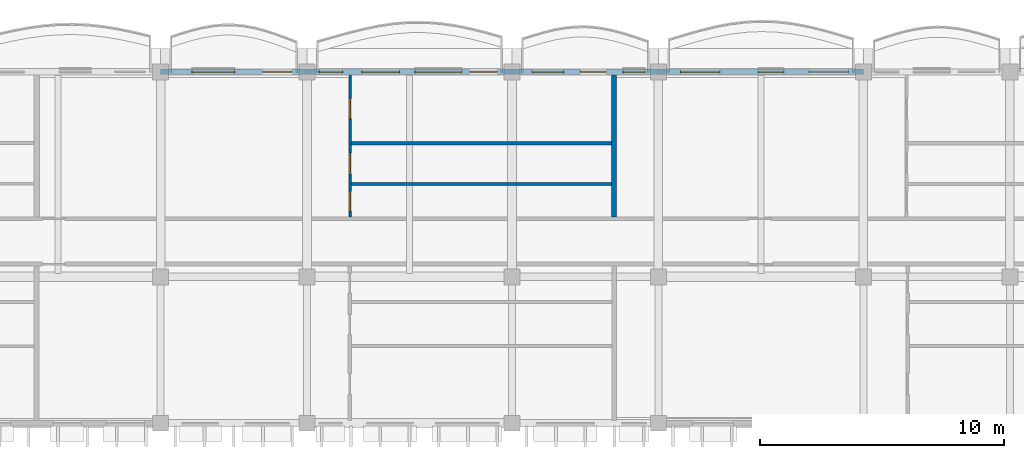
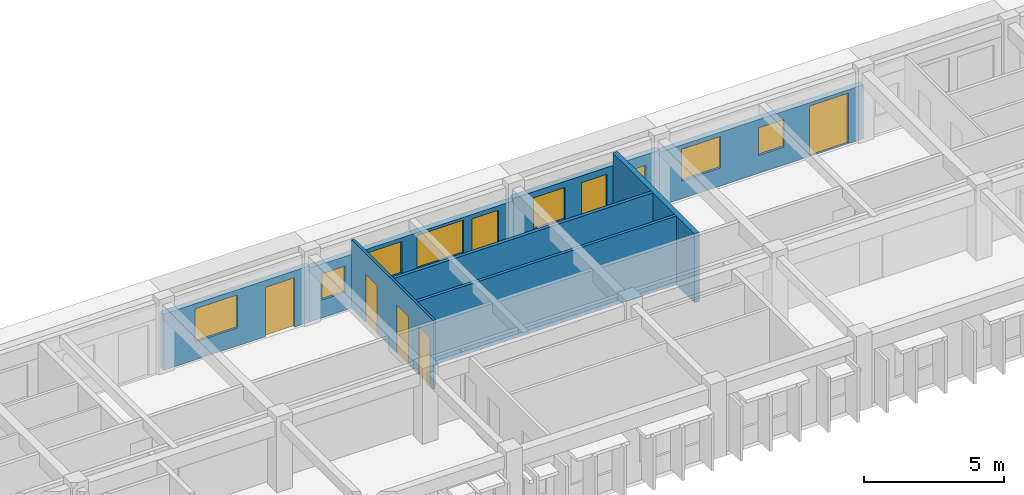
# One storey, part 57 of 101: 8 walls, 8 windows, 7 doors, 15 openings.
"""IFC4 building model written with IfcOpenShell, lengths in metres."""

from ifc_helpers import new_model, si_unit, direction, frame, frame_2d, origin, place, context, subcontext, project, spatial, rectangle, extrude, material, layer, layer_set, type_object, element, fill, save


model = new_model("IFC4")

# Units and contexts
model_context = context("Model", 3, precision=1e-05, world=origin(), true_north=direction((0.0, 1.0)))
body_context = subcontext(model_context, "Body", "Model", "MODEL_VIEW")
ifc_project = project(units=[si_unit("LENGTHUNIT", "METRE"), si_unit("AREAUNIT", "SQUARE_METRE"), si_unit("VOLUMEUNIT", "CUBIC_METRE"), si_unit("PLANEANGLEUNIT", "RADIAN"), si_unit("MASSUNIT", "GRAM", prefix="KILO"), si_unit("THERMODYNAMICTEMPERATUREUNIT", "KELVIN")], contexts=[model_context])

# Site, building, storey
site_placement = place(None, origin())
site = spatial("IfcSite", under=ifc_project, at=site_placement, CompositionType="ELEMENT")
building_placement = place(site_placement, origin())
building = spatial("IfcBuilding", under=site, at=building_placement, Name="Thalorik Housing Commons", CompositionType="ELEMENT")
storey_placement = place(building_placement, frame((0.0, 0.0, 8.10009765625)))
storey = spatial("IfcBuildingStorey", under=building, at=storey_placement, Name="L02", CompositionType="ELEMENT", Elevation=8.10009765625)

# Wall, openings, door, windows
ifc_material_1 = material(Name="White precast concrete C40/50", Category="concrete")
ifc_layer_1 = layer(ifc_material_1, 0.235107421875, Name="White precast concrete C40/50", Category="concrete")
ifc_layer_set_1 = layer_set([ifc_layer_1], Name="White precast concrete C40/50")
wall_type_1 = type_object("IfcWallType", Name="ARC-WAL-EXT-235", PredefinedType="STANDARD", material=ifc_layer_set_1)
wall_1_placement = place(storey_placement, frame((138.0, 123.60009765625, 0.0), z_axis=(0.0, 0.0, 1.0), x_axis=(-1.0, 0.0, 0.0)))
wall_1 = element("IfcWall", 1, at=wall_1_placement, inside=storey, type_object=wall_type_1, Name="L02 Exterior Wall WAL-EXT-L02-B-0452", PredefinedType="STANDARD", context=body_context, shape_type="SweptSolid", body=[
    extrude(rectangle(XDim=8.39990234375, YDim=0.235107421875, at=frame_2d((4.199951171875, 0.0))), origin(), (0.0, 0.0, 1.0), 2.344970703125),
])
opening_1_placement = place(wall_1_placement, frame((0.6201171875, 0.0, 0.0)))
opening_1 = element("IfcOpeningElement", 2, at=opening_1_placement, cuts=wall_1, Name="Opening ED-0128", PredefinedType="OPENING", context=body_context, shape_type="SweptSolid", body=[
    extrude(rectangle(XDim=1.60009765625, YDim=2.199951171875, at=frame_2d((0.800048828125, 1.10009765625))), frame((0.0, 0.12744140625, 0.0), z_axis=(0.0, -1.0, 0.0), x_axis=(1.0, 0.0, 0.0)), (0.0, 0.0, 1.0), 0.255126953125),
])
opening_2_placement = place(wall_1_placement, frame((3.264892578125, 0.0, 0.780029296875)))
opening_2 = element("IfcOpeningElement", 3, at=opening_2_placement, cuts=wall_1, Name="Opening W-44", PredefinedType="OPENING", context=body_context, shape_type="SweptSolid", body=[
    extrude(rectangle(XDim=1.050048828125, YDim=1.199951171875, at=frame_2d((0.52490234375, 0.60009765625))), frame((0.0, 0.12744140625, 0.0), z_axis=(0.0, -1.0, 0.0), x_axis=(1.0, 0.0, 0.0)), (0.0, 0.0, 1.0), 0.255126953125),
])
opening_3_placement = place(wall_1_placement, frame((5.8798828125, 0.0, 0.780029296875)))
opening_3 = element("IfcOpeningElement", 4, at=opening_3_placement, cuts=wall_1, Name="Opening W-54", PredefinedType="OPENING", context=body_context, shape_type="SweptSolid", body=[
    extrude(rectangle(XDim=1.6201171875, YDim=1.3798828125, at=frame_2d((0.81005859375, 0.68994140625))), frame((0.0, 0.12744140625, 0.0), z_axis=(0.0, -1.0, 0.0), x_axis=(1.0, 0.0, 0.0)), (0.0, 0.0, 1.0), 0.255126953125),
])
ifc_material_2 = material(Name="Anodised aluminium and laminated safety glass", Category="aluminium")
door_type_1 = type_object("IfcDoorType", Name="ARC-DR-BAL-1600", OperationType="NOTDEFINED", PredefinedType="DOOR", material=ifc_material_2)
door_1_placement = place(opening_1_placement, frame((1.60009765625, 0.0, 0.0), z_axis=(0.0, 0.0, 1.0), x_axis=(-1.0, 0.0, 0.0)))
door_1 = element("IfcDoor", 5, at=door_1_placement, inside=storey, type_object=door_type_1, Name="L02 Block B Balcony Glazed Door", OperationType="SLIDING_TO_LEFT", OverallHeight=2.199951171875, OverallWidth=1.60009765625, PredefinedType="DOOR", context=body_context, shape_type="SweptSolid", body=[
    extrude(rectangle(XDim=1.60009765625, YDim=2.199951171875, at=frame_2d((0.800048828125, 1.10009765625))), frame((0.0, 0.02490234375, 0.0), z_axis=(0.0, -1.0, 0.0), x_axis=(1.0, 0.0, 0.0)), (0.0, 0.0, 1.0), 0.050048828125),
])
fill(opening_1, door_1)
ifc_material_3 = material(Name="Anodised aluminium and solar-control low-E glass", Category="aluminium")
window_type_1 = type_object("IfcWindowType", Name="ARC-WIN-44", PartitioningType="SINGLE_PANEL", PredefinedType="WINDOW", material=ifc_material_3)
window_1_placement = place(opening_2_placement, origin())
window_1 = element("IfcWindow", 6, at=window_1_placement, inside=storey, type_object=window_type_1, Name="L02 Facade Window 802", OverallHeight=1.199951171875, OverallWidth=1.050048828125, PartitioningType="SINGLE_PANEL", PredefinedType="WINDOW", context=body_context, shape_type="SweptSolid", body=[
    extrude(rectangle(XDim=1.050048828125, YDim=1.199951171875, at=frame_2d((0.52490234375, 0.60009765625))), frame((0.0, 0.030029296875, 0.0), z_axis=(0.0, -1.0, 0.0), x_axis=(1.0, 0.0, 0.0)), (0.0, 0.0, 1.0), 0.06005859375),
])
fill(opening_2, window_1)
window_type_2 = type_object("IfcWindowType", Name="ARC-WIN-54", PartitioningType="DOUBLE_PANEL_VERTICAL", PredefinedType="WINDOW", material=ifc_material_3)
window_2_placement = place(opening_3_placement, origin())
window_2 = element("IfcWindow", 7, at=window_2_placement, inside=storey, type_object=window_type_2, Name="L02 Facade Window 803", OverallHeight=1.3798828125, OverallWidth=1.6201171875, PartitioningType="DOUBLE_PANEL_VERTICAL", PredefinedType="WINDOW", context=body_context, shape_type="SweptSolid", body=[
    extrude(rectangle(XDim=1.6201171875, YDim=1.3798828125, at=frame_2d((0.81005859375, 0.68994140625))), frame((0.0, 0.030029296875, 0.0), z_axis=(0.0, -1.0, 0.0), x_axis=(1.0, 0.0, 0.0)), (0.0, 0.0, 1.0), 0.06005859375),
])
fill(opening_3, window_2)

wall_2_placement = place(storey_placement, frame((129.60009765625, 123.60009765625, 0.0), z_axis=(0.0, 0.0, 1.0), x_axis=(-1.0, 0.0, 0.0)))
wall_2 = element("IfcWall", 8, at=wall_2_placement, inside=storey, type_object=wall_type_1, Name="L02 Exterior Wall WAL-EXT-L02-B-0453", PredefinedType="STANDARD", context=body_context, shape_type="SweptSolid", body=[
    extrude(rectangle(XDim=6.0, YDim=0.235107421875, at=frame_2d((3.0, 0.0))), origin(), (0.0, 0.0, 1.0), 2.44482421875),
])
opening_4_placement = place(wall_2_placement, frame((2.14990234375, 0.0, 0.0)))
opening_4 = element("IfcOpeningElement", 9, at=opening_4_placement, cuts=wall_2, Name="Opening ED-0129", PredefinedType="OPENING", context=body_context, shape_type="SweptSolid", body=[
    extrude(rectangle(XDim=1.050048828125, YDim=2.14990234375, at=frame_2d((0.52490234375, 1.074951171875))), frame((0.0, 0.12744140625, 0.0), z_axis=(0.0, -1.0, 0.0), x_axis=(1.0, 0.0, 0.0)), (0.0, 0.0, 1.0), 0.255126953125),
])
opening_5_placement = place(wall_2_placement, frame((0.554931640625, 0.0, 0.780029296875)))
opening_5 = element("IfcOpeningElement", 10, at=opening_5_placement, cuts=wall_2, Name="Opening W-01", PredefinedType="OPENING", context=body_context, shape_type="SweptSolid", body=[
    extrude(rectangle(XDim=0.89990234375, YDim=1.199951171875, at=frame_2d((0.449951171875, 0.60009765625))), frame((0.0, 0.12744140625, 0.0), z_axis=(0.0, -1.0, 0.0), x_axis=(1.0, 0.0, 0.0)), (0.0, 0.0, 1.0), 0.255126953125),
])
opening_6_placement = place(wall_2_placement, frame((3.8798828125, 0.0, 0.780029296875)))
opening_6 = element("IfcOpeningElement", 11, at=opening_6_placement, cuts=wall_2, Name="Opening W-06", PredefinedType="OPENING", context=body_context, shape_type="SweptSolid", body=[
    extrude(rectangle(XDim=1.300048828125, YDim=1.39990234375, at=frame_2d((0.64990234375, 0.699951171875))), frame((0.0, 0.12744140625, 0.0), z_axis=(0.0, -1.0, 0.0), x_axis=(1.0, 0.0, 0.0)), (0.0, 0.0, 1.0), 0.255126953125),
])
door_type_2 = type_object("IfcDoorType", Name="ARC-DR-BAL-1050", OperationType="NOTDEFINED", PredefinedType="DOOR", material=ifc_material_2)
door_2_placement = place(opening_4_placement, frame((1.050048828125, 0.0, 0.0), z_axis=(0.0, 0.0, 1.0), x_axis=(-1.0, 0.0, 0.0)))
door_2 = element("IfcDoor", 12, at=door_2_placement, inside=storey, type_object=door_type_2, Name="L02 Block B Balcony Glazed Door", OperationType="SINGLE_SWING_RIGHT", OverallHeight=2.14990234375, OverallWidth=1.050048828125, PredefinedType="DOOR", context=body_context, shape_type="SweptSolid", body=[
    extrude(rectangle(XDim=1.050048828125, YDim=2.14990234375, at=frame_2d((0.52490234375, 1.074951171875))), frame((0.0, 0.02490234375, 0.0), z_axis=(0.0, -1.0, 0.0), x_axis=(1.0, 0.0, 0.0)), (0.0, 0.0, 1.0), 0.050048828125),
])
fill(opening_4, door_2)
window_type_3 = type_object("IfcWindowType", Name="ARC-WIN-01", PartitioningType="SINGLE_PANEL", PredefinedType="WINDOW", material=ifc_material_3)
window_3_placement = place(opening_5_placement, origin())
window_3 = element("IfcWindow", 13, at=window_3_placement, inside=storey, type_object=window_type_3, Name="L02 Facade Window 804", OverallHeight=1.199951171875, OverallWidth=0.89990234375, PartitioningType="SINGLE_PANEL", PredefinedType="WINDOW", context=body_context, shape_type="SweptSolid", body=[
    extrude(rectangle(XDim=0.89990234375, YDim=1.199951171875, at=frame_2d((0.449951171875, 0.60009765625))), frame((0.0, 0.030029296875, 0.0), z_axis=(0.0, -1.0, 0.0), x_axis=(1.0, 0.0, 0.0)), (0.0, 0.0, 1.0), 0.06005859375),
])
fill(opening_5, window_3)
window_type_4 = type_object("IfcWindowType", Name="ARC-WIN-06", PartitioningType="SINGLE_PANEL", PredefinedType="WINDOW", material=ifc_material_3)
window_4_placement = place(opening_6_placement, origin())
window_4 = element("IfcWindow", 14, at=window_4_placement, inside=storey, type_object=window_type_4, Name="L02 Facade Window 805", OverallHeight=1.39990234375, OverallWidth=1.300048828125, PartitioningType="SINGLE_PANEL", PredefinedType="WINDOW", context=body_context, shape_type="SweptSolid", body=[
    extrude(rectangle(XDim=1.300048828125, YDim=1.39990234375, at=frame_2d((0.64990234375, 0.699951171875))), frame((0.0, 0.030029296875, 0.0), z_axis=(0.0, -1.0, 0.0), x_axis=(1.0, 0.0, 0.0)), (0.0, 0.0, 1.0), 0.06005859375),
])
fill(opening_6, window_4)

wall_3_placement = place(storey_placement, frame((123.60009765625, 123.60009765625, 0.0), z_axis=(0.0, 0.0, 1.0), x_axis=(-1.0, 0.0, 0.0)))
wall_3 = element("IfcWall", 15, at=wall_3_placement, inside=storey, type_object=wall_type_1, Name="L02 Exterior Wall WAL-EXT-L02-B-0454", PredefinedType="STANDARD", context=body_context, shape_type="SweptSolid", body=[
    extrude(rectangle(XDim=8.400146484375, YDim=0.235107421875, at=frame_2d((4.2001953125, 0.0))), origin(), (0.0, 0.0, 1.0), 2.344970703125),
])
opening_7_placement = place(wall_3_placement, frame((0.6201171875, 0.0, 0.0)))
opening_7 = element("IfcOpeningElement", 16, at=opening_7_placement, cuts=wall_3, Name="Opening ED-0130", PredefinedType="OPENING", context=body_context, shape_type="SweptSolid", body=[
    extrude(rectangle(XDim=1.10009765625, YDim=2.14990234375, at=frame_2d((0.550048828125, 1.074951171875))), frame((0.0, 0.12744140625, 0.0), z_axis=(0.0, -1.0, 0.0), x_axis=(1.0, 0.0, 0.0)), (0.0, 0.0, 1.0), 0.255126953125),
])
opening_8_placement = place(wall_3_placement, frame((2.058349609375, 0.0, 0.780029296875)))
opening_8 = element("IfcOpeningElement", 17, at=opening_8_placement, cuts=wall_3, Name="Opening W-60", PredefinedType="OPENING", context=body_context, shape_type="SweptSolid", body=[
    extrude(rectangle(XDim=1.919921875, YDim=1.43994140625, at=frame_2d((0.9599609375, 0.719970703125))), frame((0.0, 0.12744140625, 0.0), z_axis=(0.0, -1.0, 0.0), x_axis=(1.0, 0.0, 0.0)), (0.0, 0.0, 1.0), 0.255126953125),
])
opening_9_placement = place(wall_3_placement, frame((4.599853515625, 0.0, 0.780029296875)))
opening_9 = element("IfcOpeningElement", 18, at=opening_9_placement, cuts=wall_3, Name="Opening W-12", PredefinedType="OPENING", context=body_context, shape_type="SweptSolid", body=[
    extrude(rectangle(XDim=1.550048828125, YDim=1.39990234375, at=frame_2d((0.77490234375, 0.699951171875))), frame((0.0, 0.12744140625, 0.0), z_axis=(0.0, -1.0, 0.0), x_axis=(1.0, 0.0, 0.0)), (0.0, 0.0, 1.0), 0.255126953125),
])
opening_10_placement = place(wall_3_placement, frame((6.941650390625, 0.0, 0.780029296875)))
opening_10 = element("IfcOpeningElement", 19, at=opening_10_placement, cuts=wall_3, Name="Opening W-43", PredefinedType="OPENING", context=body_context, shape_type="SweptSolid", body=[
    extrude(rectangle(XDim=0.949951171875, YDim=1.14990234375, at=frame_2d((0.47509765625, 0.574951171875))), frame((0.0, 0.12744140625, 0.0), z_axis=(0.0, -1.0, 0.0), x_axis=(1.0, 0.0, 0.0)), (0.0, 0.0, 1.0), 0.255126953125),
])
door_type_3 = type_object("IfcDoorType", Name="ARC-DR-BAL-1100", OperationType="NOTDEFINED", PredefinedType="DOOR", material=ifc_material_2)
door_3_placement = place(opening_7_placement, frame((1.10009765625, 0.0, 0.0), z_axis=(0.0, 0.0, 1.0), x_axis=(-1.0, 0.0, 0.0)))
door_3 = element("IfcDoor", 20, at=door_3_placement, inside=storey, type_object=door_type_3, Name="L02 Block B Balcony Glazed Door", OperationType="SINGLE_SWING_LEFT", OverallHeight=2.14990234375, OverallWidth=1.10009765625, PredefinedType="DOOR", context=body_context, shape_type="SweptSolid", body=[
    extrude(rectangle(XDim=1.10009765625, YDim=2.14990234375, at=frame_2d((0.550048828125, 1.074951171875))), frame((0.0, 0.02490234375, 0.0), z_axis=(0.0, -1.0, 0.0), x_axis=(1.0, 0.0, 0.0)), (0.0, 0.0, 1.0), 0.050048828125),
])
fill(opening_7, door_3)
window_type_5 = type_object("IfcWindowType", Name="ARC-WIN-12", PartitioningType="SINGLE_PANEL", PredefinedType="WINDOW", material=ifc_material_3)
window_5_placement = place(opening_9_placement, origin())
window_5 = element("IfcWindow", 21, at=window_5_placement, inside=storey, type_object=window_type_5, Name="L02 Facade Window 807", OverallHeight=1.39990234375, OverallWidth=1.550048828125, PartitioningType="SINGLE_PANEL", PredefinedType="WINDOW", context=body_context, shape_type="SweptSolid", body=[
    extrude(rectangle(XDim=1.550048828125, YDim=1.39990234375, at=frame_2d((0.77490234375, 0.699951171875))), frame((0.0, 0.030029296875, 0.0), z_axis=(0.0, -1.0, 0.0), x_axis=(1.0, 0.0, 0.0)), (0.0, 0.0, 1.0), 0.06005859375),
])
fill(opening_9, window_5)
window_type_6 = type_object("IfcWindowType", Name="ARC-WIN-43", PartitioningType="SINGLE_PANEL", PredefinedType="WINDOW", material=ifc_material_3)
window_6_placement = place(opening_10_placement, origin())
window_6 = element("IfcWindow", 22, at=window_6_placement, inside=storey, type_object=window_type_6, Name="L02 Facade Window 808", OverallHeight=1.14990234375, OverallWidth=0.949951171875, PartitioningType="SINGLE_PANEL", PredefinedType="WINDOW", context=body_context, shape_type="SweptSolid", body=[
    extrude(rectangle(XDim=0.949951171875, YDim=1.14990234375, at=frame_2d((0.47509765625, 0.574951171875))), frame((0.0, 0.030029296875, 0.0), z_axis=(0.0, -1.0, 0.0), x_axis=(1.0, 0.0, 0.0)), (0.0, 0.0, 1.0), 0.06005859375),
])
fill(opening_10, window_6)
window_type_7 = type_object("IfcWindowType", Name="ARC-WIN-60", PartitioningType="DOUBLE_PANEL_VERTICAL", PredefinedType="WINDOW", material=ifc_material_3)
window_7_placement = place(opening_8_placement, origin())
window_7 = element("IfcWindow", 23, at=window_7_placement, inside=storey, type_object=window_type_7, Name="L02 Facade Window 806", OverallHeight=1.43994140625, OverallWidth=1.919921875, PartitioningType="DOUBLE_PANEL_VERTICAL", PredefinedType="WINDOW", context=body_context, shape_type="SweptSolid", body=[
    extrude(rectangle(XDim=1.919921875, YDim=1.43994140625, at=frame_2d((0.9599609375, 0.719970703125))), frame((0.0, 0.030029296875, 0.0), z_axis=(0.0, -1.0, 0.0), x_axis=(1.0, 0.0, 0.0)), (0.0, 0.0, 1.0), 0.06005859375),
])
fill(opening_8, window_7)

# Wall, openings, door, window
wall_4_placement = place(storey_placement, frame((115.199951171875, 123.60009765625, 0.0), z_axis=(0.0, 0.0, 1.0), x_axis=(-1.0, 0.0, 0.0)))
wall_4 = element("IfcWall", 24, at=wall_4_placement, inside=storey, type_object=wall_type_1, Name="L02 Exterior Wall WAL-EXT-L02-B-0455", PredefinedType="STANDARD", context=body_context, shape_type="SweptSolid", body=[
    extrude(rectangle(XDim=6.0, YDim=0.235107421875, at=frame_2d((3.0, 0.0))), origin(), (0.0, 0.0, 1.0), 2.44482421875),
])
opening_11_placement = place(wall_4_placement, frame((0.6201171875, 0.0, 0.0)))
opening_11 = element("IfcOpeningElement", 25, at=opening_11_placement, cuts=wall_4, Name="Opening ED-0131", PredefinedType="OPENING", context=body_context, shape_type="SweptSolid", body=[
    extrude(rectangle(XDim=1.199951171875, YDim=2.14990234375, at=frame_2d((0.60009765625, 1.074951171875))), frame((0.0, 0.12744140625, 0.0), z_axis=(0.0, -1.0, 0.0), x_axis=(1.0, 0.0, 0.0)), (0.0, 0.0, 1.0), 0.255126953125),
])
opening_12_placement = place(wall_4_placement, frame((2.965087890625, 0.0, 0.780029296875)))
opening_12 = element("IfcOpeningElement", 26, at=opening_12_placement, cuts=wall_4, Name="Opening W-17", PredefinedType="OPENING", context=body_context, shape_type="SweptSolid", body=[
    extrude(rectangle(XDim=1.75, YDim=1.449951171875, at=frame_2d((0.875, 0.72509765625))), frame((0.0, 0.12744140625, 0.0), z_axis=(0.0, -1.0, 0.0), x_axis=(1.0, 0.0, 0.0)), (0.0, 0.0, 1.0), 0.255126953125),
])
door_type_4 = type_object("IfcDoorType", Name="ARC-DR-BAL-1200", OperationType="NOTDEFINED", PredefinedType="DOOR", material=ifc_material_2)
door_4_placement = place(opening_11_placement, frame((1.199951171875, 0.0, 0.0), z_axis=(0.0, 0.0, 1.0), x_axis=(-1.0, 0.0, 0.0)))
door_4 = element("IfcDoor", 27, at=door_4_placement, inside=storey, type_object=door_type_4, Name="L02 Block B Balcony Glazed Door", OperationType="SINGLE_SWING_RIGHT", OverallHeight=2.14990234375, OverallWidth=1.199951171875, PredefinedType="DOOR", context=body_context, shape_type="SweptSolid", body=[
    extrude(rectangle(XDim=1.199951171875, YDim=2.14990234375, at=frame_2d((0.60009765625, 1.074951171875))), frame((0.0, 0.02490234375, 0.0), z_axis=(0.0, -1.0, 0.0), x_axis=(1.0, 0.0, 0.0)), (0.0, 0.0, 1.0), 0.050048828125),
])
fill(opening_11, door_4)
window_type_8 = type_object("IfcWindowType", Name="ARC-WIN-17", PartitioningType="DOUBLE_PANEL_VERTICAL", PredefinedType="WINDOW", material=ifc_material_3)
window_8_placement = place(opening_12_placement, origin())
window_8 = element("IfcWindow", 28, at=window_8_placement, inside=storey, type_object=window_type_8, Name="L02 Facade Window 809", OverallHeight=1.449951171875, OverallWidth=1.75, PartitioningType="DOUBLE_PANEL_VERTICAL", PredefinedType="WINDOW", context=body_context, shape_type="SweptSolid", body=[
    extrude(rectangle(XDim=1.75, YDim=1.449951171875, at=frame_2d((0.875, 0.72509765625))), frame((0.0, 0.030029296875, 0.0), z_axis=(0.0, -1.0, 0.0), x_axis=(1.0, 0.0, 0.0)), (0.0, 0.0, 1.0), 0.06005859375),
])
fill(opening_12, window_8)

# Wall, openings, doors
ifc_material_4 = material(Name="Gypsum light stud partition", Category="masonry")
ifc_layer_2 = layer(ifc_material_4, 0.10009765625, Name="Gypsum light stud partition", Category="masonry")
ifc_layer_set_2 = layer_set([ifc_layer_2], Name="Gypsum light stud partition")
wall_type_2 = type_object("IfcWallType", Name="ARC-WAL-PART-100", PredefinedType="PARTITIONING", material=ifc_layer_set_2)
wall_5_placement = place(storey_placement, frame((116.976806640625, 117.656982421875, 0.0), z_axis=(0.0, 0.0, 1.0), x_axis=(0.0, 1.0, 0.0)))
wall_5 = element("IfcWall", 29, at=wall_5_placement, inside=storey, type_object=wall_type_2, Name="L02 Unit 2B Spine Partition", PredefinedType="PARTITIONING", context=body_context, shape_type="SweptSolid", body=[
    extrude(rectangle(XDim=5.823486328125, YDim=0.10009765625, at=frame_2d((2.91162109375, 0.0))), origin(), (0.0, 0.0, 1.0), 3.0),
])
opening_13_placement = place(wall_5_placement, frame((0.23828125, 0.0, 0.0)))
opening_13 = element("IfcOpeningElement", 30, at=opening_13_placement, cuts=wall_5, Name="Opening ID-1034", PredefinedType="OPENING", context=body_context, shape_type="SweptSolid", body=[
    extrude(rectangle(XDim=0.800048828125, YDim=2.10009765625, at=frame_2d((0.39990234375, 1.050048828125))), frame((0.0, 0.06005859375, 0.0), z_axis=(0.0, -1.0, 0.0), x_axis=(1.0, 0.0, 0.0)), (0.0, 0.0, 1.0), 0.1201171875),
])
opening_14_placement = place(wall_5_placement, frame((1.7626953125, 0.0, 0.0)))
opening_14 = element("IfcOpeningElement", 31, at=opening_14_placement, cuts=wall_5, Name="Opening ID-1035", PredefinedType="OPENING", context=body_context, shape_type="SweptSolid", body=[
    extrude(rectangle(XDim=0.85009765625, YDim=2.10009765625, at=frame_2d((0.425048828125, 1.050048828125))), frame((0.0, 0.06005859375, 0.0), z_axis=(0.0, -1.0, 0.0), x_axis=(1.0, 0.0, 0.0)), (0.0, 0.0, 1.0), 0.1201171875),
])
opening_15_placement = place(wall_5_placement, frame((4.027587890625, 0.0, 0.0)))
opening_15 = element("IfcOpeningElement", 32, at=opening_15_placement, cuts=wall_5, Name="Opening ID-1036", PredefinedType="OPENING", context=body_context, shape_type="SweptSolid", body=[
    extrude(rectangle(XDim=0.820068359375, YDim=2.080078125, at=frame_2d((0.41015625, 1.0400390625))), frame((0.0, 0.06005859375, 0.0), z_axis=(0.0, -1.0, 0.0), x_axis=(1.0, 0.0, 0.0)), (0.0, 0.0, 1.0), 0.1201171875),
])
ifc_material_5 = material(Name="Moisture-resistant timber", Category="wood")
door_type_5 = type_object("IfcDoorType", Name="ARC-DR-INT-800", OperationType="NOTDEFINED", PredefinedType="DOOR", material=ifc_material_5)
door_5_placement = place(opening_13_placement, origin())
door_5 = element("IfcDoor", 33, at=door_5_placement, inside=storey, type_object=door_type_5, Name="L02 Flat Bathroom Door", OperationType="SINGLE_SWING_LEFT", OverallHeight=2.10009765625, OverallWidth=0.800048828125, PredefinedType="DOOR", context=body_context, shape_type="SweptSolid", body=[
    extrude(rectangle(XDim=0.800048828125, YDim=2.10009765625, at=frame_2d((0.39990234375, 1.050048828125))), frame((0.0, 0.02490234375, 0.0), z_axis=(0.0, -1.0, 0.0), x_axis=(1.0, 0.0, 0.0)), (0.0, 0.0, 1.0), 0.050048828125),
])
fill(opening_13, door_5)
ifc_material_6 = material(Name="Engineered oak timber", Category="wood")
door_type_6 = type_object("IfcDoorType", Name="ARC-DR-INT-820", OperationType="NOTDEFINED", PredefinedType="DOOR", material=ifc_material_6)
door_6_placement = place(opening_15_placement, origin())
door_6 = element("IfcDoor", 34, at=door_6_placement, inside=storey, type_object=door_type_6, Name="L02 Double Bedroom Door", OperationType="SINGLE_SWING_LEFT", OverallHeight=2.080078125, OverallWidth=0.820068359375, PredefinedType="DOOR", context=body_context, shape_type="SweptSolid", body=[
    extrude(rectangle(XDim=0.820068359375, YDim=2.080078125, at=frame_2d((0.41015625, 1.0400390625))), frame((0.0, 0.02490234375, 0.0), z_axis=(0.0, -1.0, 0.0), x_axis=(1.0, 0.0, 0.0)), (0.0, 0.0, 1.0), 0.050048828125),
])
fill(opening_15, door_6)
door_type_7 = type_object("IfcDoorType", Name="ARC-DR-INT-850", OperationType="NOTDEFINED", PredefinedType="DOOR", material=ifc_material_6)
door_7_placement = place(opening_14_placement, origin())
door_7 = element("IfcDoor", 35, at=door_7_placement, inside=storey, type_object=door_type_7, Name="L02 Galley Kitchen Door", OperationType="SINGLE_SWING_RIGHT", OverallHeight=2.10009765625, OverallWidth=0.85009765625, PredefinedType="DOOR", context=body_context, shape_type="SweptSolid", body=[
    extrude(rectangle(XDim=0.85009765625, YDim=2.10009765625, at=frame_2d((0.425048828125, 1.050048828125))), frame((0.0, 0.02490234375, 0.0), z_axis=(0.0, -1.0, 0.0), x_axis=(1.0, 0.0, 0.0)), (0.0, 0.0, 1.0), 0.050048828125),
])
fill(opening_14, door_7)

# Walls
ifc_material_7 = material(Name="Gypsum acoustic stud partition", Category="masonry")
ifc_layer_3 = layer(ifc_material_7, 0.125, Name="Gypsum acoustic stud partition", Category="masonry")
ifc_layer_set_3 = layer_set([ifc_layer_3], Name="Gypsum acoustic stud partition")
wall_type_3 = type_object("IfcWallType", Name="ARC-WAL-PART-125", PredefinedType="PARTITIONING", material=ifc_layer_set_3)
wall_6_placement = place(storey_placement, frame((117.02880859375, 119.010498046875, 0.0), z_axis=(0.0, 0.0, 1.0), x_axis=(1.0, 0.0, 0.0)))
element("IfcWall", 36, at=wall_6_placement, inside=storey, type_object=wall_type_3, Name="L02 Unit 2B Wet Wall", PredefinedType="PARTITIONING", context=body_context, shape_type="SweptSolid", body=[
    extrude(rectangle(XDim=10.649169921875, YDim=0.125, at=frame_2d((5.32470703125, 0.0))), origin(), (0.0, 0.0, 1.0), 3.0),
])
ifc_material_8 = material(Name="Ceramic masonry partition wall", Category="masonry")
ifc_layer_4 = layer(ifc_material_8, 0.139892578125, Name="Ceramic masonry partition wall", Category="masonry")
ifc_layer_set_4 = layer_set([ifc_layer_4], Name="Ceramic masonry partition wall")
wall_type_4 = type_object("IfcWallType", Name="ARC-WAL-PART-140", PredefinedType="PARTITIONING", material=ifc_layer_set_4)
wall_7_placement = place(storey_placement, frame((117.02880859375, 120.67919921875, 0.0), z_axis=(0.0, 0.0, 1.0), x_axis=(1.0, 0.0, 0.0)))
element("IfcWall", 37, at=wall_7_placement, inside=storey, type_object=wall_type_4, Name="L02 Unit 2B Bedroom Partition", PredefinedType="PARTITIONING", context=body_context, shape_type="SweptSolid", body=[
    extrude(rectangle(XDim=10.649169921875, YDim=0.139892578125, at=frame_2d((5.32470703125, 0.0))), origin(), (0.0, 0.0, 1.0), 3.0),
])
ifc_material_9 = material(Name="Precast concrete C40/50 acoustic wall", Category="concrete")
ifc_layer_5 = layer(ifc_material_9, 0.199951171875, Name="Precast concrete C40/50 acoustic wall", Category="concrete")
ifc_layer_set_5 = layer_set([ifc_layer_5], Name="Precast concrete C40/50 acoustic wall")
wall_type_5 = type_object("IfcWallType", Name="ARC-WAL-PARTY-200", PredefinedType="PARTITIONING", material=ifc_layer_set_5)
wall_8_placement = place(storey_placement, frame((127.780029296875, 117.656982421875, 0.0), z_axis=(0.0, 0.0, 1.0), x_axis=(0.0, 1.0, 0.0)))
element("IfcWall", 38, at=wall_8_placement, inside=storey, type_object=wall_type_5, Name="L02 Inter-Tenancy Wall 2B", PredefinedType="PARTITIONING", context=body_context, shape_type="SweptSolid", body=[
    extrude(rectangle(XDim=5.823486328125, YDim=0.199951171875, at=frame_2d((2.91162109375, 0.0))), origin(), (0.0, 0.0, 1.0), 3.0),
])

save(model, "model.ifc")
